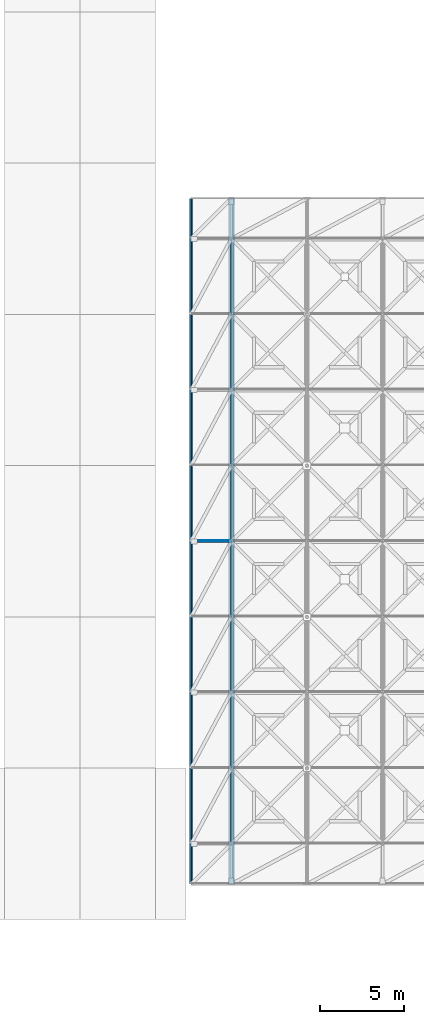
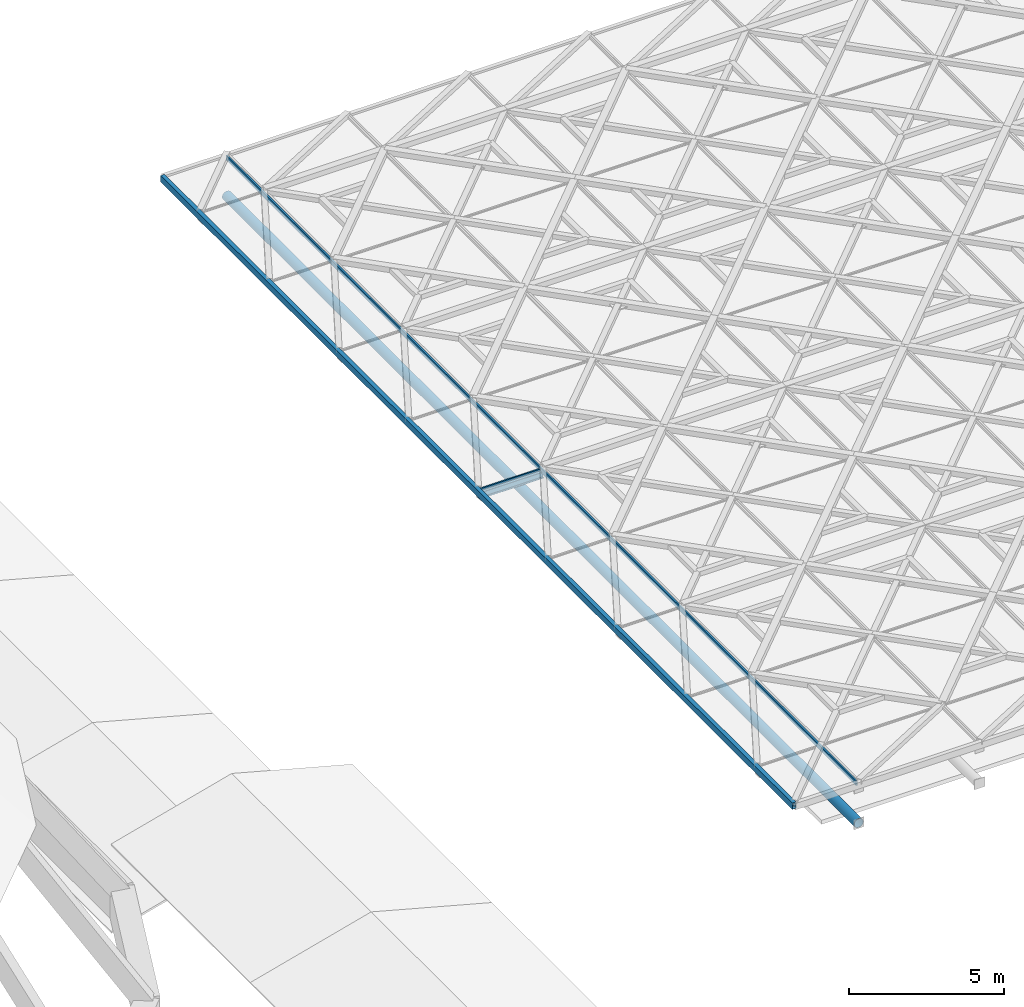
# One storey, part 5 of 80: 4 members, 2 beams, 1 element without a shape of its own.
"""IFC4 building model written with IfcOpenShell, lengths in metres."""

from ifc_helpers import new_model, si_unit, direction, frame, origin, origin_2d, place, context, subcontext, project, spatial, rectangle, hollow_rectangle, hollow_circle, i_section, extrude, material, material_profile, profile_set, type_object, element, aggregate, save


model = new_model("IFC4")

# Units and contexts
model_context = context("Model", 3, precision=1e-05, world=origin(), true_north=direction((0.0, 1.0)))
body_context = subcontext(model_context, "Body", "Model", "MODEL_VIEW")
ifc_project = project(units=[si_unit("LENGTHUNIT", "METRE"), si_unit("AREAUNIT", "SQUARE_METRE"), si_unit("VOLUMEUNIT", "CUBIC_METRE"), si_unit("PLANEANGLEUNIT", "RADIAN"), si_unit("MASSUNIT", "GRAM", prefix="KILO"), si_unit("THERMODYNAMICTEMPERATUREUNIT", "KELVIN"), si_unit("POWERUNIT", "WATT")], contexts=[model_context])

# Site, building, storey
site_placement = place(None, origin())
site = spatial("IfcSite", under=ifc_project, at=site_placement, CompositionType="ELEMENT")
building_placement = place(site_placement, origin())
building = spatial("IfcBuilding", under=site, at=building_placement, Name="Tallowbark Science Centre", CompositionType="ELEMENT")
storey_placement = place(building_placement, frame((0.0, 0.0, 25.949951171875)))
storey = spatial("IfcBuildingStorey", under=building, at=storey_placement, Name="ROOF", CompositionType="ELEMENT", Elevation=25.949951171875)

# Beam
ifc_material_1 = material(Name="White Architectural Painted Steel Grade C350L0 (350 MPa)", Category="steel")
ifc_material_profile_1 = material_profile(ifc_material_1, i_section(OverallWidth=0.146484375, OverallDepth=0.256103515625, WebThickness=0.00634765625, FlangeThickness=0.010986328125, FilletRadius=0.0087890625, at=origin_2d()), Name="250UB37.3")
ifc_profile_set_1 = profile_set([ifc_material_profile_1], Name="White Architectural Painted Steel Grade C350L0 (350 MPa)")
beam_type_1 = type_object("IfcBeamType", Name="BM-OUT250", PredefinedType="BEAM", material=ifc_profile_set_1)
beam_1_placement = place(storey_placement, frame((58.5, 22.5, 0.199951171875), z_axis=(-1.0, 0.0, 0.0), x_axis=(0.0, -1.0, 0.0)))
element("IfcBeam", 1, at=beam_1_placement, inside=storey, type_object=beam_type_1, Name="Star Screen Outrigger Tie Beam W-117", PredefinedType="BEAM", context=body_context, shape_type="SweptSolid", body=[
    extrude(i_section(OverallWidth=0.146484375, OverallDepth=0.256103515625, WebThickness=0.00634765625, FlangeThickness=0.010986328125, FilletRadius=0.0087890625, at=origin_2d()), origin(), (0.0, 0.0, 1.0), 2.39990234375),
])

# Curtain wall, members
ifc_material_2 = material(Name="Blue-Tinted Laminated Low-E Skylight Glass", Category="glass")
curtain_wall_type = type_object("IfcCurtainWallType", Name="CW-SKY-ROOF", PredefinedType="NOTDEFINED", material=ifc_material_2)
curtain_wall_placement = place(storey_placement, origin())
curtain_wall = element("IfcCurtainWall", 2, at=curtain_wall_placement, inside=storey, type_object=curtain_wall_type, Name="Exhibition Star-Screen Skylight Bay 1", PredefinedType="NOTDEFINED")
ifc_material_3 = material(Name="Anodised Architectural Aluminium Alloy 6063-T6", Category="aluminium")
ifc_material_profile_2 = material_profile(ifc_material_3, rectangle(XDim=0.06494140625, YDim=0.179931640625, at=origin_2d()), Name="ALU65x180")
ifc_profile_set_2 = profile_set([ifc_material_profile_2], Name="Anodised Architectural Aluminium Alloy 6063-T6")
member_type_1 = type_object("IfcMemberType", Name="CWM-SKY-MUL", PredefinedType="MULLION", material=ifc_profile_set_2)
member_1_placement = place(storey_placement, frame((56.139892578125, 2.14990234375, 0.35205078125), z_axis=(0.0, 1.0, 0.0), x_axis=(-1.0, 0.0, 0.0)))
member_1 = element("IfcMember", 3, at=member_1_placement, type_object=member_type_1, Name="Skylight Bay 1 Mullion W", PredefinedType="MULLION", context=body_context, shape_type="SweptSolid", body=[
    extrude(rectangle(XDim=0.06494140625, YDim=0.179931640625, at=origin_2d()), origin(), (0.0, 0.0, 1.0), 40.7001953125),
])
member_2_placement = place(storey_placement, frame((58.4599609375, 2.14990234375, 0.35205078125), z_axis=(0.0, 1.0, 0.0), x_axis=(-1.0, 0.0, 0.0)))
member_2 = element("IfcMember", 4, at=member_2_placement, type_object=member_type_1, Name="Skylight Bay 1 Mullion E", PredefinedType="MULLION", context=body_context, shape_type="SweptSolid", body=[
    extrude(rectangle(XDim=0.06494140625, YDim=0.179931640625, at=origin_2d()), origin(), (0.0, 0.0, 1.0), 40.7001953125),
])
ifc_material_profile_3 = material_profile(ifc_material_3, rectangle(XDim=0.054931640625, YDim=0.1201171875, at=origin_2d()), Name="ALU55x120")
ifc_profile_set_3 = profile_set([ifc_material_profile_3], Name="Anodised Architectural Aluminium Alloy 6063-T6")
member_type_2 = type_object("IfcMemberType", Name="CWM-SKY-TRN", PredefinedType="USERDEFINED", material=ifc_profile_set_3)
member_3_placement = place(storey_placement, frame((56.179931640625, 22.5400390625, 0.35205078125), z_axis=(1.0, 0.0, 0.0), x_axis=(0.0, 1.0, 0.0)))
member_3 = element("IfcMember", 5, at=member_3_placement, type_object=member_type_2, Name="Skylight Bay 1 Transom 6", ObjectType="TRANSOM", PredefinedType="USERDEFINED", context=body_context, shape_type="SweptSolid", body=[
    extrude(rectangle(XDim=0.054931640625, YDim=0.1201171875, at=origin_2d()), origin(), (0.0, 0.0, 1.0), 2.239990234375),
])
aggregate(curtain_wall, [member_1, member_2, member_3])

# Beam
ifc_material_profile_4 = material_profile(ifc_material_1, hollow_rectangle(XDim=0.14990234375, YDim=0.25, WallThickness=0.009033203125, at=origin_2d()), Name="250x150x9.0RHS")
ifc_profile_set_4 = profile_set([ifc_material_profile_4], Name="White Architectural Painted Steel Grade C350L0 (350 MPa)")
beam_type_2 = type_object("IfcBeamType", Name="SPN-RHS250", PredefinedType="SPANDREL", material=ifc_profile_set_4)
beam_2_placement = place(storey_placement, frame((56.10009765625, 2.10009765625, 0.324951171875), z_axis=(0.0, 1.0, 0.0), x_axis=(-1.0, 0.0, 0.0)))
element("IfcBeam", 6, at=beam_2_placement, inside=storey, type_object=beam_type_2, Name="Star Screen Perimeter Ring Beam W-ROOF", PredefinedType="SPANDREL", context=body_context, shape_type="SweptSolid", body=[
    extrude(hollow_rectangle(XDim=0.14990234375, YDim=0.25, WallThickness=0.009033203125, at=origin_2d()), origin(), (0.0, 0.0, 1.0), 40.7998046875),
])

# Member
ifc_material_profile_5 = material_profile(ifc_material_1, hollow_circle(Radius=0.177734375, WallThickness=0.0126953125, at=origin_2d()), Name="355.6x12.7CHS")
ifc_profile_set_5 = profile_set([ifc_material_profile_5], Name="White Architectural Painted Steel Grade C350L0 (350 MPa)")
member_type_3 = type_object("IfcMemberType", Name="TR-CHD355", PredefinedType="CHORD", material=ifc_profile_set_5)
member_4_placement = place(storey_placement, frame((58.5, 2.10009765625, -1.199951171875), z_axis=(0.0, 1.0, 0.0), x_axis=(-1.0, 0.0, 0.0)))
element("IfcMember", 7, at=member_4_placement, inside=storey, type_object=member_type_3, Name="Exhibition Roof Truss Bottom Chord 1", PredefinedType="CHORD", context=body_context, shape_type="SweptSolid", body=[
    extrude(hollow_circle(Radius=0.177734375, WallThickness=0.0126953125, at=origin_2d()), origin(), (0.0, 0.0, 1.0), 40.7998046875),
])

save(model, "model.ifc")
